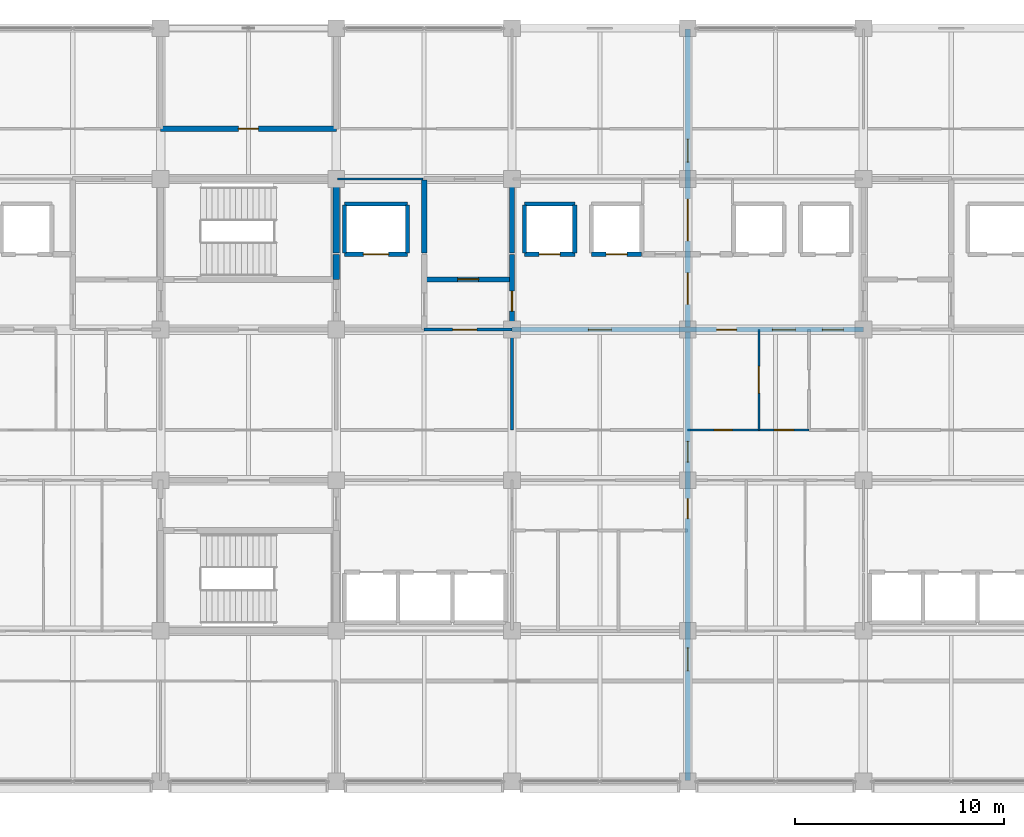
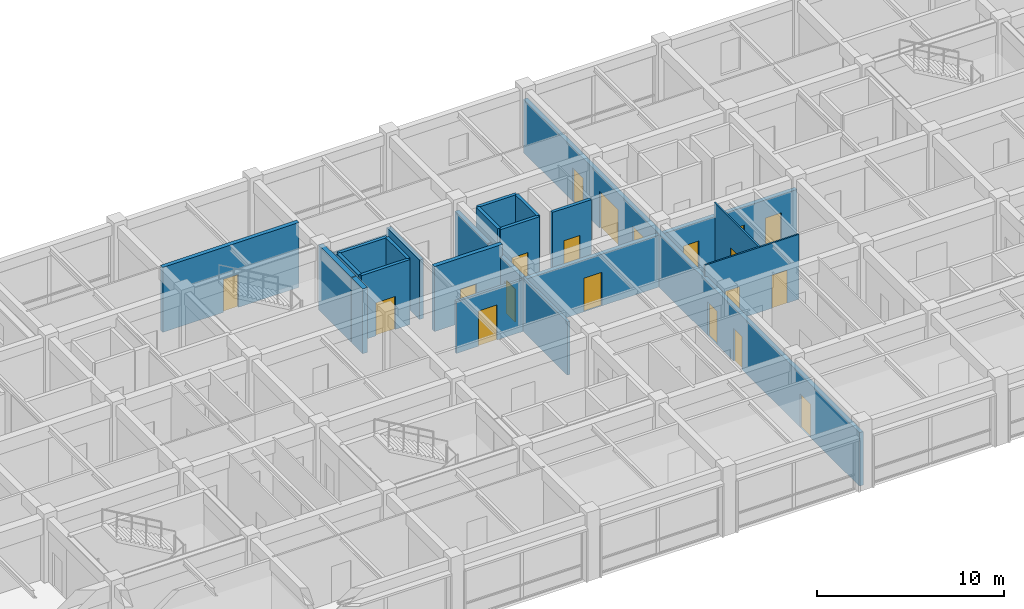
# One storey, part 20 of 30: 23 walls, 20 doors, 20 openings.
"""IFC4 building model written with IfcOpenShell, lengths in metres."""

import ifcopenshell
import ifcopenshell.guid

model = None  # the IFC model being written
_history = None  # IfcOwnerHistory: only IFC2X3 demands one
_inside = {}  # id of a spatial element -> (the spatial element, [elements in it])
_under = {}  # id of a project, library or spatial element -> (it, [spatial elements below it])
_declared = {}  # id of a project -> (the project, [libraries it declares])
_typed = {}  # id of a type object -> (the type object, [elements of that type])
_made_of = {}  # id of a material, layer set ... -> (it, [elements and type objects made of it])


def new_model(schema):
    """Start an empty IFC model of exactly this schema.

    Asked for "IFC4X3", IfcOpenShell would pick the latest addendum, in which some entities
    have other attributes; the version numbers below select the first issue.
    IFC2X3 requires an IfcOwnerHistory on every rooted entity: one is made here for all.
    """
    global model, _history
    if schema == "IFC4X3":
        model = ifcopenshell.file(schema_version=(4, 3, 0, 0))
    else:
        model = ifcopenshell.file(schema=schema)
    _inside.clear()
    _under.clear()
    _declared.clear()
    _typed.clear()
    _made_of.clear()
    _history = None
    if model.schema == "IFC2X3":
        org = make("IfcOrganization", Name="unknown")
        user = make(
            "IfcPersonAndOrganization",
            ThePerson=make("IfcPerson", FamilyName="unknown"),
            TheOrganization=org,
        )
        app = make(
            "IfcApplication",
            ApplicationDeveloper=org,
            Version="unknown",
            ApplicationFullName="unknown",
            ApplicationIdentifier="unknown",
        )
        _history = make(
            "IfcOwnerHistory",
            OwningUser=user,
            OwningApplication=app,
            ChangeAction="ADDED",
            CreationDate=0,
        )
    return model


def make(cls, **values):
    """One entity of the class cls with the attributes given. An attribute that is None is left unset."""
    return model.create_entity(
        cls, **{name: value for name, value in values.items() if value is not None}
    )


def rooted(cls, **values):
    """An entity with a GlobalId (a new one), such as an element, a storey or a relation."""
    return make(cls, GlobalId=ifcopenshell.guid.new(), OwnerHistory=_history, **values)


def si_unit(unit_type, name, prefix=None):
    """IfcSIUnit, for example si_unit("LENGTHUNIT", "METRE", prefix="MILLI")."""
    return make("IfcSIUnit", UnitType=unit_type, Prefix=prefix, Name=name)


def assignment(units):
    """IfcUnitAssignment: the units of a project."""
    return None if units is None else make("IfcUnitAssignment", Units=units)


def point(xyz):
    """IfcCartesianPoint."""
    return None if xyz is None else make("IfcCartesianPoint", Coordinates=xyz)


def direction(xyz):
    """IfcDirection."""
    return None if xyz is None else make("IfcDirection", DirectionRatios=xyz)


def frame(location, z_axis=None, x_axis=None):
    """IfcAxis2Placement3D, a coordinate frame: its origin and axes. An axis left out is left unset."""
    return make(
        "IfcAxis2Placement3D",
        Location=point(location),
        Axis=direction(z_axis),
        RefDirection=direction(x_axis),
    )


def frame_2d(location, x_axis=None):
    """IfcAxis2Placement2D, a coordinate frame in the plane: its origin and x axis."""
    return make(
        "IfcAxis2Placement2D", Location=point(location), RefDirection=direction(x_axis)
    )


def origin():
    """The frame at (0, 0, 0) with its axes left unset."""
    return frame((0.0, 0.0, 0.0))


def place(relative_to, where):
    """IfcLocalPlacement: puts the frame where relative to a parent placement (None: the world)."""
    return make(
        "IfcLocalPlacement", PlacementRelTo=relative_to, RelativePlacement=where
    )


def context(
    kind, dimensions, precision=None, world=None, true_north=None, identifier=None
):
    """IfcGeometricRepresentationContext, for example the 3D "Model" context."""
    return make(
        "IfcGeometricRepresentationContext",
        ContextIdentifier=identifier,
        ContextType=kind,
        CoordinateSpaceDimension=dimensions,
        Precision=precision,
        WorldCoordinateSystem=world,
        TrueNorth=true_north,
    )


def subcontext(parent, identifier, kind, view, scale=None):
    """IfcGeometricRepresentationSubContext, for example "Body" below "Model"."""
    return make(
        "IfcGeometricRepresentationSubContext",
        ContextIdentifier=identifier,
        ContextType=kind,
        ParentContext=parent,
        TargetScale=scale,
        TargetView=view,
    )


def project(units=None, contexts=None):
    """IfcProject with its units and contexts."""
    return rooted(
        "IfcProject",
        Name="project",
        RepresentationContexts=contexts,
        UnitsInContext=assignment(units),
    )


def spatial(cls, under=None, at=None, **own):
    """A site, building, storey or space (cls), placed at a placement, below another one or the project."""
    s = rooted(cls, ObjectPlacement=at, **own)
    if under is not None:
        _under.setdefault(under.id(), (under, []))[1].append(s)
    return s


def profile(cls, at=None, kind="AREA", **sizes):
    """A parametric profile (cls). Its sizes go by their IFC names, for example OverallWidth=200.0."""
    return make(cls, ProfileType=kind, Position=at, **sizes)


def rectangle(**sizes):
    """IfcRectangleProfileDef."""
    return profile("IfcRectangleProfileDef", **sizes)


def extrude(swept, where, along, depth):
    """IfcExtrudedAreaSolid: the profile swept, set in the frame where, extruded along a direction by depth."""
    return make(
        "IfcExtrudedAreaSolid",
        SweptArea=swept,
        Position=where,
        ExtrudedDirection=direction(along),
        Depth=depth,
    )


def shape(context_of_items, identifier, shape_type, items):
    """IfcShapeRepresentation: the items that make up one representation, for example the "Body"."""
    return make(
        "IfcShapeRepresentation",
        ContextOfItems=context_of_items,
        RepresentationIdentifier=identifier,
        RepresentationType=shape_type,
        Items=items,
    )


def material(Name=None, Category=None):
    """IfcMaterial."""
    return make("IfcMaterial", Name=Name, Category=Category)


def layer(
    of_material, thickness, ventilated=None, Name=None, Category=None, Priority=None
):
    """IfcMaterialLayer: one layer of a wall or slab, of a material (None: an air gap)."""
    return make(
        "IfcMaterialLayer",
        Material=of_material,
        LayerThickness=thickness,
        IsVentilated=ventilated,
        Name=Name,
        Category=Category,
        Priority=Priority,
    )


def layer_set(layers, Name=None):
    """IfcMaterialLayerSet."""
    return make("IfcMaterialLayerSet", MaterialLayers=layers, LayerSetName=Name)


def made_of(thing, what):
    """Note that an element or type object is made of a material, layer set ...; save() writes the relation."""
    if what is not None:
        _made_of.setdefault(what.id(), (what, []))[1].append(thing)
    return thing


def type_object(cls, material=None, **own):
    """A type object (cls), such as IfcWallType, which elements share."""
    return made_of(rooted(cls, **own), material)


def element(
    cls,
    number,
    at=None,
    inside=None,
    cuts=None,
    type_object=None,
    material=None,
    context=None,
    identifier="Body",
    shape_type=None,
    held_by="IfcProductDefinitionShape",
    body=None,
    shapes=None,
    **own,
):
    """One element of the class cls, such as IfcWall. Its Tag is "e" and its number.

    at: its placement. inside: the storey or other place that contains it. cuts: it is an
    opening in that element (IfcRelVoidsElement). A single representation is given by context,
    identifier, shape_type and body (its items); several are given by shapes. held_by: the class
    of the entity that holds the representations. save() writes the other relations.
    """
    e = rooted(cls, Tag="e%d" % number, ObjectPlacement=at, **own)
    if body is not None:
        shapes = [shape(context, identifier, shape_type, body)]
    if shapes is not None:
        e.Representation = make(held_by, Representations=shapes)
    if inside is not None:
        _inside.setdefault(inside.id(), (inside, []))[1].append(e)
    if cuts is not None:
        rooted(
            "IfcRelVoidsElement", RelatingBuildingElement=cuts, RelatedOpeningElement=e
        )
    if type_object is not None:
        _typed.setdefault(type_object.id(), (type_object, []))[1].append(e)
    return made_of(e, material)


def fill(opening, filler):
    """IfcRelFillsElement: the door or window that sits in an opening."""
    return rooted(
        "IfcRelFillsElement",
        RelatingOpeningElement=opening,
        RelatedBuildingElement=filler,
    )


def aggregate(whole, parts):
    """IfcRelAggregates: a whole, such as a stair, and the parts it consists of."""
    return rooted("IfcRelAggregates", RelatingObject=whole, RelatedObjects=parts)


def save(model, path):
    """Write the relations noted so far, then the file.

    IfcRelAggregates (storeys below a building ...), IfcRelContainedInSpatialStructure (elements
    in a storey), IfcRelDefinesByType, IfcRelAssociatesMaterial and IfcRelDeclares: one each for
    every whole, place, type object, material and project.
    """
    for whole, parts in _under.values():
        aggregate(whole, parts)
    for where, things in _inside.values():
        rooted(
            "IfcRelContainedInSpatialStructure",
            RelatedElements=things,
            RelatingStructure=where,
        )
    for kind, things in _typed.values():
        rooted("IfcRelDefinesByType", RelatedObjects=things, RelatingType=kind)
    for what, things in _made_of.values():
        rooted("IfcRelAssociatesMaterial", RelatedObjects=things, RelatingMaterial=what)
    for by, libraries in _declared.values():
        rooted("IfcRelDeclares", RelatingContext=by, RelatedDefinitions=libraries)
    model.write(path)


model = new_model("IFC4")

# Units and contexts
model_context = context("Model", 3, precision=1e-05, world=origin(), true_north=direction((0.0, 1.0)))
body_context = subcontext(model_context, "Body", "Model", "MODEL_VIEW")
ifc_project = project(units=[si_unit("LENGTHUNIT", "METRE"), si_unit("AREAUNIT", "SQUARE_METRE"), si_unit("VOLUMEUNIT", "CUBIC_METRE"), si_unit("PLANEANGLEUNIT", "RADIAN"), si_unit("MASSUNIT", "GRAM", prefix="KILO")], contexts=[model_context])

# Site, building, storey
site_placement = place(None, origin())
site = spatial("IfcSite", under=ifc_project, at=site_placement, CompositionType="ELEMENT")
building_placement = place(site_placement, origin())
building = spatial("IfcBuilding", under=site, at=building_placement, Name="Chengyuan Square Courthouse", CompositionType="ELEMENT")
storey_placement = place(building_placement, frame((0.0, 0.0, 30.60009765625)))
storey = spatial("IfcBuildingStorey", under=building, at=storey_placement, Name="L07", CompositionType="ELEMENT", Elevation=30.60009765625)

# Wall, openings, doors
ifc_material_1 = material(Name="Concrete C40", Category="concrete")
ifc_layer_1 = layer(ifc_material_1, 0.25)
ifc_layer_set_1 = layer_set([ifc_layer_1], Name="Concrete C40")
wall_type_1 = type_object("IfcWallType", Name="WL-FW1", PredefinedType="STANDARD", material=ifc_layer_set_1)
wall_1_placement = place(storey_placement, frame((75.60009765625, 100.800048828125, 0.0), z_axis=(0.0, 0.0, 1.0), x_axis=(1.0, 0.0, 0.0)))
wall_1 = element("IfcWall", 1, at=wall_1_placement, inside=storey, type_object=wall_type_1, Name="Interior Wall WL-L07-I2676", PredefinedType="STANDARD", context=body_context, shape_type="SweptSolid", body=[
    extrude(rectangle(XDim=16.7998046875, YDim=0.25, at=frame_2d((8.39990234375, 0.0))), origin(), (0.0, 0.0, 1.0), 3.389892578125),
])
opening_1_placement = place(wall_1_placement, frame((3.64990234375, 0.0, 0.0)))
opening_1 = element("IfcOpeningElement", 2, at=opening_1_placement, cuts=wall_1, Name="Opening DR-2348", PredefinedType="OPENING", context=body_context, shape_type="SweptSolid", body=[
    extrude(rectangle(XDim=1.10009765625, YDim=2.199951171875, at=frame_2d((0.550048828125, 1.10009765625))), frame((0.0, 0.136962890625, 0.0), z_axis=(0.0, -1.0, 0.0), x_axis=(1.0, 0.0, 0.0)), (0.0, 0.0, 1.0), 0.27392578125),
])
opening_2_placement = place(wall_1_placement, frame((9.784912109375, 0.0, 0.0)))
opening_2 = element("IfcOpeningElement", 3, at=opening_2_placement, cuts=wall_1, Name="Opening DR-2350", PredefinedType="OPENING", context=body_context, shape_type="SweptSolid", body=[
    extrude(rectangle(XDim=0.949951171875, YDim=2.14990234375, at=frame_2d((0.47509765625, 1.074951171875))), frame((0.0, 0.136962890625, 0.0), z_axis=(0.0, -1.0, 0.0), x_axis=(1.0, 0.0, 0.0)), (0.0, 0.0, 1.0), 0.27392578125),
])
opening_3_placement = place(wall_1_placement, frame((12.449951171875, 0.0, 0.0)))
opening_3 = element("IfcOpeningElement", 4, at=opening_3_placement, cuts=wall_1, Name="Opening DR-2351", PredefinedType="OPENING", context=body_context, shape_type="SweptSolid", body=[
    extrude(rectangle(XDim=1.10009765625, YDim=2.199951171875, at=frame_2d((0.550048828125, 1.10009765625))), frame((0.0, 0.136962890625, 0.0), z_axis=(0.0, -1.0, 0.0), x_axis=(1.0, 0.0, 0.0)), (0.0, 0.0, 1.0), 0.27392578125),
])
opening_4_placement = place(wall_1_placement, frame((14.840087890625, 0.0, 0.0)))
opening_4 = element("IfcOpeningElement", 5, at=opening_4_placement, cuts=wall_1, Name="Opening DR-2352", PredefinedType="OPENING", context=body_context, shape_type="SweptSolid", body=[
    extrude(rectangle(XDim=1.0, YDim=2.199951171875, at=frame_2d((0.5, 1.10009765625))), frame((0.0, 0.136962890625, 0.0), z_axis=(0.0, -1.0, 0.0), x_axis=(1.0, 0.0, 0.0)), (0.0, 0.0, 1.0), 0.27392578125),
])
ifc_material_2 = material(Name="Steel Q235B Fire Door", Category="steel")
door_type_1 = type_object("IfcDoorType", Name="DT-10", OperationType="NOTDEFINED", PredefinedType="DOOR", material=ifc_material_2)
door_1_placement = place(opening_1_placement, origin())
door_1 = element("IfcDoor", 6, at=door_1_placement, inside=storey, type_object=door_type_1, Name="Interior Door DR-2348", OperationType="SINGLE_SWING_RIGHT", OverallHeight=2.199951171875, OverallWidth=1.10009765625, PredefinedType="DOOR", context=body_context, shape_type="SweptSolid", body=[
    extrude(rectangle(XDim=1.10009765625, YDim=2.199951171875, at=frame_2d((0.550048828125, 1.10009765625))), frame((0.0, 0.02490234375, 0.0), z_axis=(0.0, -1.0, 0.0), x_axis=(1.0, 0.0, 0.0)), (0.0, 0.0, 1.0), 0.050048828125),
])
fill(opening_1, door_1)
door_2_placement = place(opening_3_placement, origin())
door_2 = element("IfcDoor", 7, at=door_2_placement, inside=storey, type_object=door_type_1, Name="Interior Door DR-2351", OperationType="SINGLE_SWING_LEFT", OverallHeight=2.199951171875, OverallWidth=1.10009765625, PredefinedType="DOOR", context=body_context, shape_type="SweptSolid", body=[
    extrude(rectangle(XDim=1.10009765625, YDim=2.199951171875, at=frame_2d((0.550048828125, 1.10009765625))), frame((0.0, 0.02490234375, 0.0), z_axis=(0.0, -1.0, 0.0), x_axis=(1.0, 0.0, 0.0)), (0.0, 0.0, 1.0), 0.050048828125),
])
fill(opening_3, door_2)
door_type_2 = type_object("IfcDoorType", Name="DT-11", OperationType="NOTDEFINED", PredefinedType="DOOR", material=ifc_material_2)
door_3_placement = place(opening_4_placement, origin())
door_3 = element("IfcDoor", 8, at=door_3_placement, inside=storey, type_object=door_type_2, Name="Interior Door DR-2352", OperationType="SINGLE_SWING_RIGHT", OverallHeight=2.199951171875, OverallWidth=1.0, PredefinedType="DOOR", context=body_context, shape_type="SweptSolid", body=[
    extrude(rectangle(XDim=1.0, YDim=2.199951171875, at=frame_2d((0.5, 1.10009765625))), frame((0.0, 0.02490234375, 0.0), z_axis=(0.0, -1.0, 0.0), x_axis=(1.0, 0.0, 0.0)), (0.0, 0.0, 1.0), 0.050048828125),
])
fill(opening_4, door_3)
door_type_3 = type_object("IfcDoorType", Name="DT-12", OperationType="NOTDEFINED", PredefinedType="DOOR", material=ifc_material_2)
door_4_placement = place(opening_2_placement, origin())
door_4 = element("IfcDoor", 9, at=door_4_placement, inside=storey, type_object=door_type_3, Name="Interior Door DR-2350", OperationType="SINGLE_SWING_RIGHT", OverallHeight=2.14990234375, OverallWidth=0.949951171875, PredefinedType="DOOR", context=body_context, shape_type="SweptSolid", body=[
    extrude(rectangle(XDim=0.949951171875, YDim=2.14990234375, at=frame_2d((0.47509765625, 1.074951171875))), frame((0.0, 0.02490234375, 0.0), z_axis=(0.0, -1.0, 0.0), x_axis=(1.0, 0.0, 0.0)), (0.0, 0.0, 1.0), 0.050048828125),
])
fill(opening_2, door_4)

# Wall, opening, door
wall_2_placement = place(storey_placement, frame((71.39990234375, 103.199951171875, 0.0), z_axis=(0.0, 0.0, 1.0), x_axis=(1.0, 0.0, 0.0)))
wall_2 = element("IfcWall", 10, at=wall_2_placement, inside=storey, type_object=wall_type_1, Name="Interior Wall WL-L07-I2690", PredefinedType="STANDARD", context=body_context, shape_type="SweptSolid", body=[
    extrude(rectangle(XDim=4.2001953125, YDim=0.25, at=frame_2d((2.10009765625, 0.0))), origin(), (0.0, 0.0, 1.0), 4.239990234375),
])
opening_5_placement = place(wall_2_placement, frame((1.60009765625, 0.0, 0.0)))
opening_5 = element("IfcOpeningElement", 11, at=opening_5_placement, cuts=wall_2, Name="Opening DR-2328", PredefinedType="OPENING", context=body_context, shape_type="SweptSolid", body=[
    extrude(rectangle(XDim=1.0, YDim=2.199951171875, at=frame_2d((0.5, 1.10009765625))), frame((0.0, 0.136962890625, 0.0), z_axis=(0.0, -1.0, 0.0), x_axis=(1.0, 0.0, 0.0)), (0.0, 0.0, 1.0), 0.27392578125),
])
door_5_placement = place(opening_5_placement, origin())
door_5 = element("IfcDoor", 12, at=door_5_placement, inside=storey, type_object=door_type_2, Name="Interior Door DR-2328", OperationType="SINGLE_SWING_LEFT", OverallHeight=2.199951171875, OverallWidth=1.0, PredefinedType="DOOR", context=body_context, shape_type="SweptSolid", body=[
    extrude(rectangle(XDim=1.0, YDim=2.199951171875, at=frame_2d((0.5, 1.10009765625))), frame((0.0, 0.02490234375, 0.0), z_axis=(0.0, -1.0, 0.0), x_axis=(1.0, 0.0, 0.0)), (0.0, 0.0, 1.0), 0.050048828125),
])
fill(opening_5, door_5)

wall_3_placement = place(storey_placement, frame((58.800048828125, 110.39990234375, 0.0), z_axis=(0.0, 0.0, 1.0), x_axis=(1.0, 0.0, 0.0)))
wall_3 = element("IfcWall", 13, at=wall_3_placement, inside=storey, type_object=wall_type_1, Name="Interior Wall WL-L07-I2733", PredefinedType="STANDARD", context=body_context, shape_type="SweptSolid", body=[
    extrude(rectangle(XDim=8.39990234375, YDim=0.25, at=frame_2d((4.199951171875, 0.0))), origin(), (0.0, 0.0, 1.0), 4.239990234375),
])
opening_6_placement = place(wall_3_placement, frame((3.72509765625, 0.0, 0.0)))
opening_6 = element("IfcOpeningElement", 14, at=opening_6_placement, cuts=wall_3, Name="Opening DR-2473", PredefinedType="OPENING", context=body_context, shape_type="SweptSolid", body=[
    extrude(rectangle(XDim=0.949951171875, YDim=2.14990234375, at=frame_2d((0.47509765625, 1.074951171875))), frame((0.0, 0.136962890625, 0.0), z_axis=(0.0, -1.0, 0.0), x_axis=(1.0, 0.0, 0.0)), (0.0, 0.0, 1.0), 0.27392578125),
])
door_6_placement = place(opening_6_placement, origin())
door_6 = element("IfcDoor", 15, at=door_6_placement, inside=storey, type_object=door_type_3, Name="Interior Door DR-2473", OperationType="SINGLE_SWING_LEFT", OverallHeight=2.14990234375, OverallWidth=0.949951171875, PredefinedType="DOOR", context=body_context, shape_type="SweptSolid", body=[
    extrude(rectangle(XDim=0.949951171875, YDim=2.14990234375, at=frame_2d((0.47509765625, 1.074951171875))), frame((0.0, 0.02490234375, 0.0), z_axis=(0.0, -1.0, 0.0), x_axis=(1.0, 0.0, 0.0)), (0.0, 0.0, 1.0), 0.050048828125),
])
fill(opening_6, door_6)

# Wall
wall_4_placement = place(storey_placement, frame((71.39990234375, 104.449951171875, 0.0), z_axis=(0.0, 0.0, 1.0), x_axis=(0.0, 1.0, 0.0)))
element("IfcWall", 16, at=wall_4_placement, inside=storey, type_object=wall_type_1, Name="Interior Wall WL-L07-I2787", PredefinedType="STANDARD", context=body_context, shape_type="SweptSolid", body=[
    extrude(rectangle(XDim=3.5, YDim=0.25, at=frame_2d((1.75, 0.0))), origin(), (0.0, 0.0, 1.0), 3.889892578125),
])

# Wall, opening, door
wall_5_placement = place(storey_placement, frame((75.60009765625, 100.800048828125, 0.0), z_axis=(0.0, 0.0, 1.0), x_axis=(0.0, 1.0, 0.0)))
wall_5 = element("IfcWall", 17, at=wall_5_placement, inside=storey, type_object=wall_type_1, Name="Interior Wall WL-L07-I2794", PredefinedType="STANDARD", context=body_context, shape_type="SweptSolid", body=[
    extrude(rectangle(XDim=3.599853515625, YDim=0.25, at=frame_2d((1.7998046875, 0.0))), origin(), (0.0, 0.0, 1.0), 3.489990234375),
])
opening_7_placement = place(wall_5_placement, frame((0.885009765625, 0.0, 0.0)))
opening_7 = element("IfcOpeningElement", 18, at=opening_7_placement, cuts=wall_5, Name="Opening DR-2329", PredefinedType="OPENING", context=body_context, shape_type="SweptSolid", body=[
    extrude(rectangle(XDim=0.949951171875, YDim=2.14990234375, at=frame_2d((0.47509765625, 1.074951171875))), frame((0.0, 0.136962890625, 0.0), z_axis=(0.0, -1.0, 0.0), x_axis=(1.0, 0.0, 0.0)), (0.0, 0.0, 1.0), 0.27392578125),
])
door_7_placement = place(opening_7_placement, origin())
door_7 = element("IfcDoor", 19, at=door_7_placement, inside=storey, type_object=door_type_3, Name="Interior Door DR-2329", OperationType="SINGLE_SWING_RIGHT", OverallHeight=2.14990234375, OverallWidth=0.949951171875, PredefinedType="DOOR", context=body_context, shape_type="SweptSolid", body=[
    extrude(rectangle(XDim=0.949951171875, YDim=2.14990234375, at=frame_2d((0.47509765625, 1.074951171875))), frame((0.0, 0.02490234375, 0.0), z_axis=(0.0, -1.0, 0.0), x_axis=(1.0, 0.0, 0.0)), (0.0, 0.0, 1.0), 0.050048828125),
])
fill(opening_7, door_7)

# Wall
wall_6_placement = place(storey_placement, frame((75.60009765625, 104.449951171875, 0.0), z_axis=(0.0, 0.0, 1.0), x_axis=(0.0, 1.0, 0.0)))
element("IfcWall", 20, at=wall_6_placement, inside=storey, type_object=wall_type_1, Name="Interior Wall WL-L07-I2795", PredefinedType="STANDARD", context=body_context, shape_type="SweptSolid", body=[
    extrude(rectangle(XDim=3.5, YDim=0.25, at=frame_2d((1.75, 0.0))), origin(), (0.0, 0.0, 1.0), 3.489990234375),
])

# Wall, openings, doors
wall_7_placement = place(storey_placement, frame((84.0, 79.239990234375, 0.0), z_axis=(0.0, 0.0, 1.0), x_axis=(0.0, 1.0, 0.0)))
wall_7 = element("IfcWall", 21, at=wall_7_placement, inside=storey, type_object=wall_type_1, Name="Interior Wall WL-L07-I2804", PredefinedType="STANDARD", context=body_context, shape_type="SweptSolid", body=[
    extrude(rectangle(XDim=35.919921875, YDim=0.25, at=frame_2d((17.9599609375, 0.0))), origin(), (0.0, 0.0, 1.0), 3.489990234375),
])
opening_8_placement = place(wall_7_placement, frame((22.77001953125, 0.0, 0.0)))
opening_8 = element("IfcOpeningElement", 22, at=opening_8_placement, cuts=wall_7, Name="Opening DR-2347", PredefinedType="OPENING", context=body_context, shape_type="SweptSolid", body=[
    extrude(rectangle(XDim=1.5, YDim=2.25, at=frame_2d((0.75, 1.125))), frame((0.0, 0.136962890625, 0.0), z_axis=(0.0, -1.0, 0.0), x_axis=(1.0, 0.0, 0.0)), (0.0, 0.0, 1.0), 0.27392578125),
])
opening_9_placement = place(wall_7_placement, frame((12.52490234375, 0.0, 0.0)))
opening_9 = element("IfcOpeningElement", 23, at=opening_9_placement, cuts=wall_7, Name="Opening DR-2386", PredefinedType="OPENING", context=body_context, shape_type="SweptSolid", body=[
    extrude(rectangle(XDim=0.949951171875, YDim=2.14990234375, at=frame_2d((0.47509765625, 1.074951171875))), frame((0.0, 0.136962890625, 0.0), z_axis=(0.0, -1.0, 0.0), x_axis=(1.0, 0.0, 0.0)), (0.0, 0.0, 1.0), 0.27392578125),
])
opening_10_placement = place(wall_7_placement, frame((15.219970703125, 0.0, 0.0)))
opening_10 = element("IfcOpeningElement", 24, at=opening_10_placement, cuts=wall_7, Name="Opening DR-2397", PredefinedType="OPENING", context=body_context, shape_type="SweptSolid", body=[
    extrude(rectangle(XDim=1.0, YDim=2.199951171875, at=frame_2d((0.5, 1.10009765625))), frame((0.0, 0.136962890625, 0.0), z_axis=(0.0, -1.0, 0.0), x_axis=(1.0, 0.0, 0.0)), (0.0, 0.0, 1.0), 0.27392578125),
])
opening_11_placement = place(wall_7_placement, frame((25.800048828125, 0.0, 0.0)))
opening_11 = element("IfcOpeningElement", 25, at=opening_11_placement, cuts=wall_7, Name="Opening DR-2468", PredefinedType="OPENING", context=body_context, shape_type="SweptSolid", body=[
    extrude(rectangle(XDim=2.0, YDim=2.39990234375, at=frame_2d((1.0, 1.199951171875))), frame((0.0, 0.136962890625, 0.0), z_axis=(0.0, -1.0, 0.0), x_axis=(1.0, 0.0, 0.0)), (0.0, 0.0, 1.0), 0.27392578125),
])
opening_12_placement = place(wall_7_placement, frame((29.570068359375, 0.0, 0.0)))
opening_12 = element("IfcOpeningElement", 26, at=opening_12_placement, cuts=wall_7, Name="Opening DR-2471", PredefinedType="OPENING", context=body_context, shape_type="SweptSolid", body=[
    extrude(rectangle(XDim=1.10009765625, YDim=2.199951171875, at=frame_2d((0.550048828125, 1.10009765625))), frame((0.0, 0.136962890625, 0.0), z_axis=(0.0, -1.0, 0.0), x_axis=(1.0, 0.0, 0.0)), (0.0, 0.0, 1.0), 0.27392578125),
])
opening_13_placement = place(wall_7_placement, frame((5.25, 0.0, 0.0)))
opening_13 = element("IfcOpeningElement", 27, at=opening_13_placement, cuts=wall_7, Name="Opening DR-2483", PredefinedType="OPENING", context=body_context, shape_type="SweptSolid", body=[
    extrude(rectangle(XDim=1.10009765625, YDim=2.199951171875, at=frame_2d((0.550048828125, 1.10009765625))), frame((0.0, 0.136962890625, 0.0), z_axis=(0.0, -1.0, 0.0), x_axis=(1.0, 0.0, 0.0)), (0.0, 0.0, 1.0), 0.27392578125),
])
door_8_placement = place(opening_12_placement, origin())
door_8 = element("IfcDoor", 28, at=door_8_placement, inside=storey, type_object=door_type_1, Name="Interior Door DR-2471", OperationType="SINGLE_SWING_LEFT", OverallHeight=2.199951171875, OverallWidth=1.10009765625, PredefinedType="DOOR", context=body_context, shape_type="SweptSolid", body=[
    extrude(rectangle(XDim=1.10009765625, YDim=2.199951171875, at=frame_2d((0.550048828125, 1.10009765625))), frame((0.0, 0.02490234375, 0.0), z_axis=(0.0, -1.0, 0.0), x_axis=(1.0, 0.0, 0.0)), (0.0, 0.0, 1.0), 0.050048828125),
])
fill(opening_12, door_8)
door_9_placement = place(opening_13_placement, origin())
door_9 = element("IfcDoor", 29, at=door_9_placement, inside=storey, type_object=door_type_1, Name="Interior Door DR-2483", OperationType="SINGLE_SWING_LEFT", OverallHeight=2.199951171875, OverallWidth=1.10009765625, PredefinedType="DOOR", context=body_context, shape_type="SweptSolid", body=[
    extrude(rectangle(XDim=1.10009765625, YDim=2.199951171875, at=frame_2d((0.550048828125, 1.10009765625))), frame((0.0, 0.02490234375, 0.0), z_axis=(0.0, -1.0, 0.0), x_axis=(1.0, 0.0, 0.0)), (0.0, 0.0, 1.0), 0.050048828125),
])
fill(opening_13, door_9)
door_10_placement = place(opening_10_placement, origin())
door_10 = element("IfcDoor", 30, at=door_10_placement, inside=storey, type_object=door_type_2, Name="Interior Door DR-2397", OperationType="SINGLE_SWING_LEFT", OverallHeight=2.199951171875, OverallWidth=1.0, PredefinedType="DOOR", context=body_context, shape_type="SweptSolid", body=[
    extrude(rectangle(XDim=1.0, YDim=2.199951171875, at=frame_2d((0.5, 1.10009765625))), frame((0.0, 0.02490234375, 0.0), z_axis=(0.0, -1.0, 0.0), x_axis=(1.0, 0.0, 0.0)), (0.0, 0.0, 1.0), 0.050048828125),
])
fill(opening_10, door_10)
door_11_placement = place(opening_9_placement, origin())
door_11 = element("IfcDoor", 31, at=door_11_placement, inside=storey, type_object=door_type_3, Name="Interior Door DR-2386", OperationType="SINGLE_SWING_LEFT", OverallHeight=2.14990234375, OverallWidth=0.949951171875, PredefinedType="DOOR", context=body_context, shape_type="SweptSolid", body=[
    extrude(rectangle(XDim=0.949951171875, YDim=2.14990234375, at=frame_2d((0.47509765625, 1.074951171875))), frame((0.0, 0.02490234375, 0.0), z_axis=(0.0, -1.0, 0.0), x_axis=(1.0, 0.0, 0.0)), (0.0, 0.0, 1.0), 0.050048828125),
])
fill(opening_9, door_11)
ifc_material_3 = material(Name="Steel Q235B Glazed Fire Door", Category="steel")
door_type_4 = type_object("IfcDoorType", Name="DT-19", OperationType="DOUBLE_DOOR_SINGLE_SWING", PredefinedType="DOOR", material=ifc_material_3)
door_12_placement = place(opening_8_placement, frame((1.5, 0.0, 0.0), z_axis=(0.0, 0.0, 1.0), x_axis=(-1.0, 0.0, 0.0)))
door_12 = element("IfcDoor", 32, at=door_12_placement, inside=storey, type_object=door_type_4, Name="Interior Door DR-2347", OperationType="DOUBLE_DOOR_SINGLE_SWING", OverallHeight=2.25, OverallWidth=1.5, PredefinedType="DOOR", context=body_context, shape_type="SweptSolid", body=[
    extrude(rectangle(XDim=1.5, YDim=2.25, at=frame_2d((0.75, 1.125))), frame((0.0, 0.02490234375, 0.0), z_axis=(0.0, -1.0, 0.0), x_axis=(1.0, 0.0, 0.0)), (0.0, 0.0, 1.0), 0.050048828125),
])
fill(opening_8, door_12)
door_type_5 = type_object("IfcDoorType", Name="DT-20", OperationType="DOUBLE_DOOR_SINGLE_SWING", PredefinedType="DOOR", material=ifc_material_3)
door_13_placement = place(opening_11_placement, frame((2.0, 0.0, 0.0), z_axis=(0.0, 0.0, 1.0), x_axis=(-1.0, 0.0, 0.0)))
door_13 = element("IfcDoor", 33, at=door_13_placement, inside=storey, type_object=door_type_5, Name="Interior Door DR-2468", OperationType="DOUBLE_DOOR_SINGLE_SWING", OverallHeight=2.39990234375, OverallWidth=2.0, PredefinedType="DOOR", context=body_context, shape_type="SweptSolid", body=[
    extrude(rectangle(XDim=2.0, YDim=2.39990234375, at=frame_2d((1.0, 1.199951171875))), frame((0.0, 0.02490234375, 0.0), z_axis=(0.0, -1.0, 0.0), x_axis=(1.0, 0.0, 0.0)), (0.0, 0.0, 1.0), 0.050048828125),
])
fill(opening_11, door_13)

# Wall, opening, door
ifc_material_4 = material(Name="Deliberation Room Sound-Insulated Partition")
ifc_layer_2 = layer(ifc_material_4, 0.14990234375)
ifc_layer_set_2 = layer_set([ifc_layer_2], Name="Deliberation Room Sound-Insulated Partition")
wall_type_2 = type_object("IfcWallType", Name="WL-PT3", PredefinedType="STANDARD", material=ifc_layer_set_2)
wall_8_placement = place(storey_placement, frame((71.39990234375, 100.800048828125, 0.0), z_axis=(0.0, 0.0, 1.0), x_axis=(1.0, 0.0, 0.0)))
wall_8 = element("IfcWall", 34, at=wall_8_placement, inside=storey, type_object=wall_type_2, Name="Interior Wall WL-L07-I2675", PredefinedType="STANDARD", context=body_context, shape_type="SweptSolid", body=[
    extrude(rectangle(XDim=4.2001953125, YDim=0.14990234375, at=frame_2d((2.10009765625, 0.0))), origin(), (0.0, 0.0, 1.0), 3.389892578125),
])
opening_14_placement = place(wall_8_placement, frame((1.360107421875, 0.0, 0.0)))
opening_14 = element("IfcOpeningElement", 35, at=opening_14_placement, cuts=wall_8, Name="Opening DR-2330", PredefinedType="OPENING", context=body_context, shape_type="SweptSolid", body=[
    extrude(rectangle(XDim=1.159912109375, YDim=2.300048828125, at=frame_2d((0.580078125, 1.14990234375))), frame((0.0, 0.0869140625, 0.0), z_axis=(0.0, -1.0, 0.0), x_axis=(1.0, 0.0, 0.0)), (0.0, 0.0, 1.0), 0.173828125),
])
ifc_material_5 = material(Name="Acoustic Solid-Core Timber Door", Category="wood")
door_type_6 = type_object("IfcDoorType", Name="DT-35", OperationType="NOTDEFINED", PredefinedType="DOOR", material=ifc_material_5)
door_14_placement = place(opening_14_placement, origin())
door_14 = element("IfcDoor", 36, at=door_14_placement, inside=storey, type_object=door_type_6, Name="Interior Door DR-2330", OperationType="SINGLE_SWING_LEFT", OverallHeight=2.300048828125, OverallWidth=1.159912109375, PredefinedType="DOOR", context=body_context, shape_type="SweptSolid", body=[
    extrude(rectangle(XDim=1.159912109375, YDim=2.300048828125, at=frame_2d((0.580078125, 1.14990234375))), frame((0.0, 0.02490234375, 0.0), z_axis=(0.0, -1.0, 0.0), x_axis=(1.0, 0.0, 0.0)), (0.0, 0.0, 1.0), 0.050048828125),
])
fill(opening_14, door_14)

# Wall
wall_9_placement = place(storey_placement, frame((75.60009765625, 96.0, 0.0), z_axis=(0.0, 0.0, 1.0), x_axis=(0.0, 1.0, 0.0)))
element("IfcWall", 37, at=wall_9_placement, inside=storey, type_object=wall_type_2, Name="Interior Wall WL-L07-I2793", PredefinedType="STANDARD", context=body_context, shape_type="SweptSolid", body=[
    extrude(rectangle(XDim=4.800048828125, YDim=0.14990234375, at=frame_2d((2.39990234375, 0.0))), origin(), (0.0, 0.0, 1.0), 3.489990234375),
])

# Wall, openings, doors
ifc_material_6 = material(Name="Gypsum Plasterboard Acoustic Stud Partition")
ifc_layer_3 = layer(ifc_material_6, 0.10009765625)
ifc_layer_set_3 = layer_set([ifc_layer_3], Name="Gypsum Plasterboard Acoustic Stud Partition")
wall_type_3 = type_object("IfcWallType", Name="WL-PT6", PredefinedType="STANDARD", material=ifc_layer_set_3)
wall_10_placement = place(storey_placement, frame((84.0, 96.0, 0.0), z_axis=(0.0, 0.0, 1.0), x_axis=(1.0, 0.0, 0.0)))
wall_10 = element("IfcWall", 38, at=wall_10_placement, inside=storey, type_object=wall_type_3, Name="Interior Wall WL-L07-I2661", PredefinedType="STANDARD", context=body_context, shape_type="SweptSolid", body=[
    extrude(rectangle(XDim=5.800048828125, YDim=0.10009765625, at=frame_2d((2.89990234375, 0.0))), origin(), (0.0, 0.0, 1.0), 4.239990234375),
])
opening_15_placement = place(wall_10_placement, frame((1.27001953125, 0.0, 0.0)))
opening_15 = element("IfcOpeningElement", 39, at=opening_15_placement, cuts=wall_10, Name="Opening DR-2408", PredefinedType="OPENING", context=body_context, shape_type="SweptSolid", body=[
    extrude(rectangle(XDim=0.860107421875, YDim=2.10009765625, at=frame_2d((0.43017578125, 1.050048828125))), frame((0.0, 0.06201171875, 0.0), z_axis=(0.0, -1.0, 0.0), x_axis=(1.0, 0.0, 0.0)), (0.0, 0.0, 1.0), 0.1240234375),
])
opening_16_placement = place(wall_10_placement, frame((4.139892578125, 0.0, 0.0)))
opening_16 = element("IfcOpeningElement", 40, at=opening_16_placement, cuts=wall_10, Name="Opening DR-2409", PredefinedType="OPENING", context=body_context, shape_type="SweptSolid", body=[
    extrude(rectangle(XDim=0.919921875, YDim=2.14990234375, at=frame_2d((0.4599609375, 1.074951171875))), frame((0.0, 0.06201171875, 0.0), z_axis=(0.0, -1.0, 0.0), x_axis=(1.0, 0.0, 0.0)), (0.0, 0.0, 1.0), 0.1240234375),
])
door_type_7 = type_object("IfcDoorType", Name="DT-28", OperationType="NOTDEFINED", PredefinedType="DOOR", material=ifc_material_5)
door_15_placement = place(opening_15_placement, origin())
door_15 = element("IfcDoor", 41, at=door_15_placement, inside=storey, type_object=door_type_7, Name="Interior Door DR-2408", OperationType="SINGLE_SWING_RIGHT", OverallHeight=2.10009765625, OverallWidth=0.860107421875, PredefinedType="DOOR", context=body_context, shape_type="SweptSolid", body=[
    extrude(rectangle(XDim=0.860107421875, YDim=2.10009765625, at=frame_2d((0.43017578125, 1.050048828125))), frame((0.0, 0.02490234375, 0.0), z_axis=(0.0, -1.0, 0.0), x_axis=(1.0, 0.0, 0.0)), (0.0, 0.0, 1.0), 0.050048828125),
])
fill(opening_15, door_15)
door_type_8 = type_object("IfcDoorType", Name="DT-29", OperationType="NOTDEFINED", PredefinedType="DOOR", material=ifc_material_5)
door_16_placement = place(opening_16_placement, origin())
door_16 = element("IfcDoor", 42, at=door_16_placement, inside=storey, type_object=door_type_8, Name="Interior Door DR-2409", OperationType="SINGLE_SWING_LEFT", OverallHeight=2.14990234375, OverallWidth=0.919921875, PredefinedType="DOOR", context=body_context, shape_type="SweptSolid", body=[
    extrude(rectangle(XDim=0.919921875, YDim=2.14990234375, at=frame_2d((0.4599609375, 1.074951171875))), frame((0.0, 0.02490234375, 0.0), z_axis=(0.0, -1.0, 0.0), x_axis=(1.0, 0.0, 0.0)), (0.0, 0.0, 1.0), 0.050048828125),
])
fill(opening_16, door_16)

# Wall
wall_11_placement = place(storey_placement, frame((67.25, 108.0, 0.0), z_axis=(0.0, 0.0, 1.0), x_axis=(1.0, 0.0, 0.0)))
element("IfcWall", 43, at=wall_11_placement, inside=storey, type_object=wall_type_3, Name="Interior Wall WL-L07-I2722", PredefinedType="STANDARD", context=body_context, shape_type="SweptSolid", body=[
    extrude(rectangle(XDim=4.10009765625, YDim=0.10009765625, at=frame_2d((2.050048828125, 0.0))), origin(), (0.0, 0.0, 1.0), 3.389892578125),
])

# Wall, opening, door
wall_12_placement = place(storey_placement, frame((87.39990234375, 96.0, 0.0), z_axis=(0.0, 0.0, 1.0), x_axis=(0.0, 1.0, 0.0)))
wall_12 = element("IfcWall", 44, at=wall_12_placement, inside=storey, type_object=wall_type_3, Name="Interior Wall WL-L07-I2808", PredefinedType="STANDARD", context=body_context, shape_type="SweptSolid", body=[
    extrude(rectangle(XDim=4.800048828125, YDim=0.10009765625, at=frame_2d((2.39990234375, 0.0))), origin(), (0.0, 0.0, 1.0), 4.239990234375),
])
opening_17_placement = place(wall_12_placement, frame((1.760009765625, 0.0, 0.0)))
opening_17 = element("IfcOpeningElement", 45, at=opening_17_placement, cuts=wall_12, Name="Opening DR-2435", PredefinedType="OPENING", context=body_context, shape_type="SweptSolid", body=[
    extrude(rectangle(XDim=1.280029296875, YDim=2.35009765625, at=frame_2d((0.64013671875, 1.175048828125))), frame((0.0, 0.06201171875, 0.0), z_axis=(0.0, -1.0, 0.0), x_axis=(1.0, 0.0, 0.0)), (0.0, 0.0, 1.0), 0.1240234375),
])
door_type_9 = type_object("IfcDoorType", Name="DT-38", OperationType="NOTDEFINED", PredefinedType="DOOR", material=ifc_material_5)
door_17_placement = place(opening_17_placement, origin())
door_17 = element("IfcDoor", 46, at=door_17_placement, inside=storey, type_object=door_type_9, Name="Interior Door DR-2435", OperationType="SINGLE_SWING_RIGHT", OverallHeight=2.35009765625, OverallWidth=1.280029296875, PredefinedType="DOOR", context=body_context, shape_type="SweptSolid", body=[
    extrude(rectangle(XDim=1.280029296875, YDim=2.35009765625, at=frame_2d((0.64013671875, 1.175048828125))), frame((0.0, 0.02490234375, 0.0), z_axis=(0.0, -1.0, 0.0), x_axis=(1.0, 0.0, 0.0)), (0.0, 0.0, 1.0), 0.050048828125),
])
fill(opening_17, door_17)

ifc_material_7 = material(Name="Reinforced Masonry Shaft Enclosure", Category="masonry")
ifc_layer_4 = layer(ifc_material_7, 0.199951171875)
ifc_layer_set_4 = layer_set([ifc_layer_4], Name="Reinforced Masonry Shaft Enclosure")
wall_type_4 = type_object("IfcWallType", Name="WL-SH1", PredefinedType="STANDARD", material=ifc_layer_set_4)
wall_13_placement = place(storey_placement, frame((67.60009765625, 104.39990234375, 0.0), z_axis=(0.0, 0.0, 1.0), x_axis=(1.0, 0.0, 0.0)))
wall_13 = element("IfcWall", 47, at=wall_13_placement, inside=storey, type_object=wall_type_4, Name="Interior Wall WL-L07-I2699", PredefinedType="STANDARD", context=body_context, shape_type="SweptSolid", body=[
    extrude(rectangle(XDim=3.0, YDim=0.199951171875, at=frame_2d((1.5, 0.0))), origin(), (0.0, 0.0, 1.0), 4.239990234375),
])
opening_18_placement = place(wall_13_placement, frame((0.89990234375, 0.0, 0.0)))
opening_18 = element("IfcOpeningElement", 48, at=opening_18_placement, cuts=wall_13, Name="Opening LD-117", PredefinedType="OPENING", context=body_context, shape_type="SweptSolid", body=[
    extrude(rectangle(XDim=1.199951171875, YDim=2.14990234375, at=frame_2d((0.60009765625, 1.074951171875))), frame((0.0, 0.112060546875, 0.0), z_axis=(0.0, -1.0, 0.0), x_axis=(1.0, 0.0, 0.0)), (0.0, 0.0, 1.0), 0.223876953125),
])
ifc_material_8 = material(Name="Stainless Steel S30408 Lift Landing Door", Category="steel")
door_type_10 = type_object("IfcDoorType", Name="DT-05", OperationType="DOUBLE_DOOR_SLIDING", PredefinedType="DOOR", material=ifc_material_8)
door_18_placement = place(opening_18_placement, origin())
door_18 = element("IfcDoor", 49, at=door_18_placement, inside=storey, type_object=door_type_10, Name="Lift Landing Door LF-F1 L07", OperationType="DOUBLE_DOOR_SLIDING", OverallHeight=2.14990234375, OverallWidth=1.199951171875, PredefinedType="DOOR", context=body_context, shape_type="SweptSolid", body=[
    extrude(rectangle(XDim=1.199951171875, YDim=2.14990234375, at=frame_2d((0.60009765625, 1.074951171875))), frame((0.0, 0.02490234375, 0.0), z_axis=(0.0, -1.0, 0.0), x_axis=(1.0, 0.0, 0.0)), (0.0, 0.0, 1.0), 0.050048828125),
])
fill(opening_18, door_18)

wall_14_placement = place(storey_placement, frame((76.199951171875, 104.39990234375, 0.0), z_axis=(0.0, 0.0, 1.0), x_axis=(1.0, 0.0, 0.0)))
wall_14 = element("IfcWall", 50, at=wall_14_placement, inside=storey, type_object=wall_type_4, Name="Interior Wall WL-L07-I2700", PredefinedType="STANDARD", context=body_context, shape_type="SweptSolid", body=[
    extrude(rectangle(XDim=2.400146484375, YDim=0.199951171875, at=frame_2d((1.2001953125, 0.0))), origin(), (0.0, 0.0, 1.0), 4.239990234375),
])
opening_19_placement = place(wall_14_placement, frame((0.699951171875, 0.0, 0.0)))
opening_19 = element("IfcOpeningElement", 51, at=opening_19_placement, cuts=wall_14, Name="Opening LD-121", PredefinedType="OPENING", context=body_context, shape_type="SweptSolid", body=[
    extrude(rectangle(XDim=1.0, YDim=2.14990234375, at=frame_2d((0.5, 1.074951171875))), frame((0.0, 0.112060546875, 0.0), z_axis=(0.0, -1.0, 0.0), x_axis=(1.0, 0.0, 0.0)), (0.0, 0.0, 1.0), 0.223876953125),
])
door_type_11 = type_object("IfcDoorType", Name="DT-07", OperationType="DOUBLE_DOOR_SLIDING", PredefinedType="DOOR", material=ifc_material_8)
door_19_placement = place(opening_19_placement, origin())
door_19 = element("IfcDoor", 52, at=door_19_placement, inside=storey, type_object=door_type_11, Name="Lift Landing Door LF-J1 L07", OperationType="DOUBLE_DOOR_SLIDING", OverallHeight=2.14990234375, OverallWidth=1.0, PredefinedType="DOOR", context=body_context, shape_type="SweptSolid", body=[
    extrude(rectangle(XDim=1.0, YDim=2.14990234375, at=frame_2d((0.5, 1.074951171875))), frame((0.0, 0.02490234375, 0.0), z_axis=(0.0, -1.0, 0.0), x_axis=(1.0, 0.0, 0.0)), (0.0, 0.0, 1.0), 0.050048828125),
])
fill(opening_19, door_19)

wall_15_placement = place(storey_placement, frame((79.39990234375, 104.39990234375, 0.0), z_axis=(0.0, 0.0, 1.0), x_axis=(1.0, 0.0, 0.0)))
wall_15 = element("IfcWall", 53, at=wall_15_placement, inside=storey, type_object=wall_type_4, Name="Interior Wall WL-L07-I2701", PredefinedType="STANDARD", context=body_context, shape_type="SweptSolid", body=[
    extrude(rectangle(XDim=2.400146484375, YDim=0.199951171875, at=frame_2d((1.2001953125, 0.0))), origin(), (0.0, 0.0, 1.0), 4.239990234375),
])
opening_20_placement = place(wall_15_placement, frame((0.699951171875, 0.0, 0.0)))
opening_20 = element("IfcOpeningElement", 54, at=opening_20_placement, cuts=wall_15, Name="Opening LD-122", PredefinedType="OPENING", context=body_context, shape_type="SweptSolid", body=[
    extrude(rectangle(XDim=1.0, YDim=2.14990234375, at=frame_2d((0.5, 1.074951171875))), frame((0.0, 0.112060546875, 0.0), z_axis=(0.0, -1.0, 0.0), x_axis=(1.0, 0.0, 0.0)), (0.0, 0.0, 1.0), 0.223876953125),
])
door_20_placement = place(opening_20_placement, origin())
door_20 = element("IfcDoor", 55, at=door_20_placement, inside=storey, type_object=door_type_11, Name="Lift Landing Door LF-J2 L07", OperationType="DOUBLE_DOOR_SLIDING", OverallHeight=2.14990234375, OverallWidth=1.0, PredefinedType="DOOR", context=body_context, shape_type="SweptSolid", body=[
    extrude(rectangle(XDim=1.0, YDim=2.14990234375, at=frame_2d((0.5, 1.074951171875))), frame((0.0, 0.02490234375, 0.0), z_axis=(0.0, -1.0, 0.0), x_axis=(1.0, 0.0, 0.0)), (0.0, 0.0, 1.0), 0.050048828125),
])
fill(opening_20, door_20)

# Walls
wall_16_placement = place(storey_placement, frame((67.60009765625, 106.800048828125, 0.0), z_axis=(0.0, 0.0, 1.0), x_axis=(1.0, 0.0, 0.0)))
element("IfcWall", 56, at=wall_16_placement, inside=storey, type_object=wall_type_4, Name="Interior Wall WL-L07-I2711", PredefinedType="STANDARD", context=body_context, shape_type="SweptSolid", body=[
    extrude(rectangle(XDim=3.0, YDim=0.199951171875, at=frame_2d((1.5, 0.0))), origin(), (0.0, 0.0, 1.0), 4.239990234375),
])
wall_17_placement = place(storey_placement, frame((76.199951171875, 106.800048828125, 0.0), z_axis=(0.0, 0.0, 1.0), x_axis=(1.0, 0.0, 0.0)))
element("IfcWall", 57, at=wall_17_placement, inside=storey, type_object=wall_type_4, Name="Interior Wall WL-L07-I2712", PredefinedType="STANDARD", context=body_context, shape_type="SweptSolid", body=[
    extrude(rectangle(XDim=2.400146484375, YDim=0.199951171875, at=frame_2d((1.2001953125, 0.0))), origin(), (0.0, 0.0, 1.0), 4.239990234375),
])
for number, where, z_axis, x_axis, name in (
    (58, (67.60009765625, 104.449951171875, 0.0), (0.0, 0.0, 1.0), (0.0, 1.0, 0.0), "Interior Wall WL-L07-I2783"),
    (59, (70.60009765625, 104.449951171875, 0.0), (0.0, 0.0, 1.0), (0.0, 1.0, 0.0), "Interior Wall WL-L07-I2785"),
    (60, (76.199951171875, 104.449951171875, 0.0), (0.0, 0.0, 1.0), (0.0, 1.0, 0.0), "Interior Wall WL-L07-I2797"),
    (61, (78.60009765625, 104.449951171875, 0.0), (0.0, 0.0, 1.0), (0.0, 1.0, 0.0), "Interior Wall WL-L07-I2799"),
):
    element("IfcWall", number, at=place(storey_placement, frame(where, z_axis=z_axis, x_axis=x_axis)), inside=storey, type_object=wall_type_4, Name=name, PredefinedType="STANDARD", context=body_context, shape_type="SweptSolid", body=[
        extrude(rectangle(XDim=2.300048828125, YDim=0.199951171875, at=frame_2d((1.14990234375, 0.0))), origin(), (0.0, 0.0, 1.0), 4.239990234375),
    ])
ifc_layer_5 = layer(ifc_material_1, 0.300048828125)
ifc_layer_set_5 = layer_set([ifc_layer_5], Name="Concrete C40")
wall_type_5 = type_object("IfcWallType", Name="WL-SW2", PredefinedType="SHEAR", material=ifc_layer_set_5)
wall_18_placement = place(storey_placement, frame((67.199951171875, 103.199951171875, 0.0), z_axis=(0.0, 0.0, 1.0), x_axis=(0.0, 1.0, 0.0)))
element("IfcWall", 62, at=wall_18_placement, inside=storey, type_object=wall_type_5, Name="Interior Wall WL-L07-I2779", PredefinedType="SHEAR", context=body_context, shape_type="SweptSolid", body=[
    extrude(rectangle(XDim=1.199951171875, YDim=0.300048828125, at=frame_2d((0.60009765625, 0.0))), origin(), (0.0, 0.0, 1.0), 4.239990234375),
])
wall_19_placement = place(storey_placement, frame((67.199951171875, 104.449951171875, 0.0), z_axis=(0.0, 0.0, 1.0), x_axis=(0.0, 1.0, 0.0)))
element("IfcWall", 63, at=wall_19_placement, inside=storey, type_object=wall_type_5, Name="Interior Wall WL-L07-I2780", PredefinedType="SHEAR", context=body_context, shape_type="SweptSolid", body=[
    extrude(rectangle(XDim=3.5, YDim=0.300048828125, at=frame_2d((1.75, 0.0))), origin(), (0.0, 0.0, 1.0), 4.239990234375),
])

save(model, "model.ifc")
